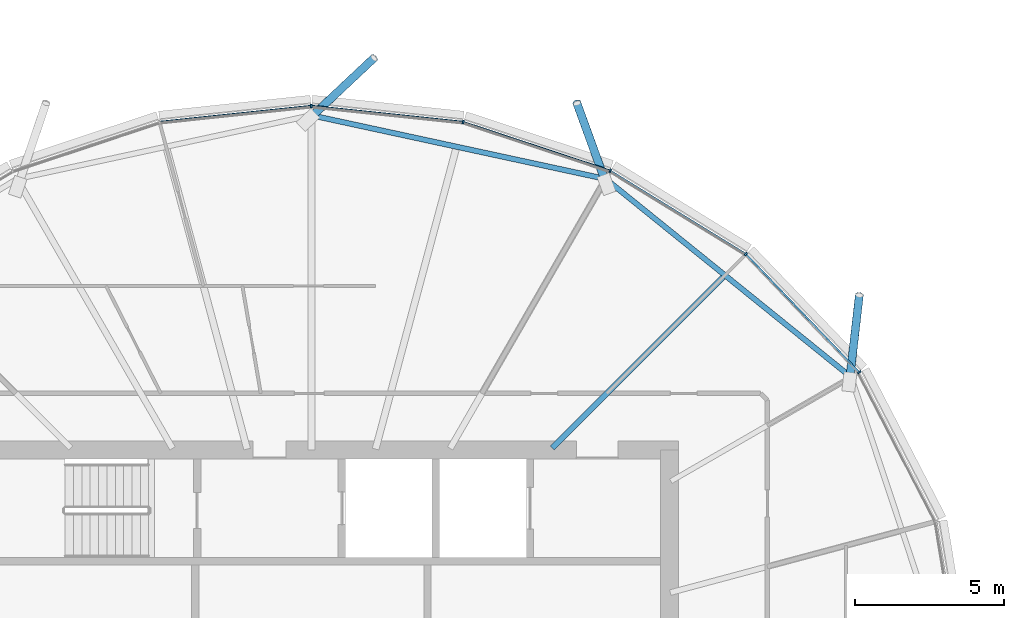
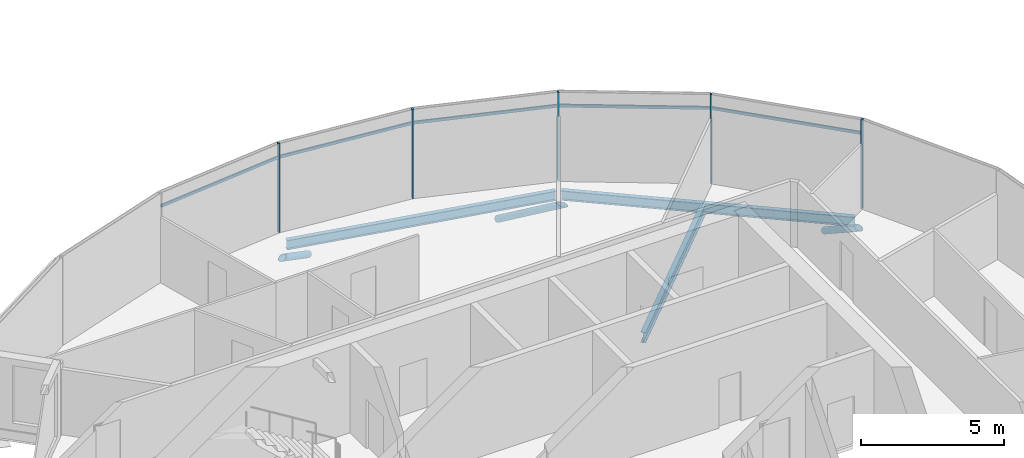
# One storey, part 11 of 36: 13 members, 3 beams, 1 element without a shape of its own.
"""IFC4 building model written with IfcOpenShell, lengths in metres."""

from ifc_helpers import new_model, si_unit, direction, frame, origin, origin_2d, place, context, subcontext, project, spatial, rectangle, hollow_circle, i_section, extrude, clip, halfspace, material, material_profile, profile_set, type_object, element, aggregate, save


model = new_model("IFC4")

# Units and contexts
model_context = context("Model", 3, precision=1e-05, world=origin(), true_north=direction((0.0, 1.0)))
body_context = subcontext(model_context, "Body", "Model", "MODEL_VIEW")
ifc_project = project(units=[si_unit("LENGTHUNIT", "METRE"), si_unit("AREAUNIT", "SQUARE_METRE"), si_unit("VOLUMEUNIT", "CUBIC_METRE"), si_unit("PLANEANGLEUNIT", "RADIAN"), si_unit("MASSUNIT", "GRAM", prefix="KILO")], contexts=[model_context])

# Site, building, storey
site_placement = place(None, origin())
site = spatial("IfcSite", under=ifc_project, at=site_placement, CompositionType="ELEMENT")
building_placement = place(site_placement, origin())
building = spatial("IfcBuilding", under=site, at=building_placement, Name="Rimbun Link Towers", CompositionType="ELEMENT")
storey_placement = place(building_placement, frame((0.0, 0.0, 189.300048828125)))
storey = spatial("IfcBuildingStorey", under=building, at=storey_placement, Name="L46", CompositionType="ELEMENT", Elevation=189.300048828125)

# Curtain wall, members
ifc_material_1 = material(Name="Aluminium 6063-T6 and low-iron glass", Category="aluminium")
curtain_wall_type = type_object("IfcCurtainWallType", Name="CW1-Z3 unitised vision wall (zone 3)", PredefinedType="NOTDEFINED", material=ifc_material_1)
curtain_wall_placement = place(storey_placement, origin())
curtain_wall = element("IfcCurtainWall", 1, at=curtain_wall_placement, inside=storey, type_object=curtain_wall_type, Name="CW1 L46 T1", PredefinedType="NOTDEFINED")
ifc_material_2 = material(Name="Aluminium 6063-T6", Category="aluminium")
ifc_material_profile_1 = material_profile(ifc_material_2, rectangle(XDim=0.1201171875, YDim=0.06005859375, at=origin_2d()), Name="MULLION 60X120")
ifc_profile_set_1 = profile_set([ifc_material_profile_1], Name="Aluminium 6063-T6")
member_type_1 = type_object("IfcMemberType", Name="CW1 mullion 60X120", PredefinedType="MULLION", material=ifc_profile_set_1)
member_1_placement = place(storey_placement, frame((-13.394287109375, 10.6044921875, 0.0), z_axis=(0.0, 0.0, 1.0), x_axis=(0.813347109878, 0.581778719835, 0.0)))
member_1 = element("IfcMember", 2, at=member_1_placement, type_object=member_type_1, Name="CW1 mullion", PredefinedType="MULLION", context=body_context, shape_type="SweptSolid", body=[
    extrude(rectangle(XDim=0.1201171875, YDim=0.06005859375, at=origin_2d()), origin(), (0.0, 0.0, 1.0), 3.800048828125),
])
member_2_placement = place(storey_placement, frame((-17.192626953125, 14.56640625, 0.0), z_axis=(0.0, 0.0, 1.0), x_axis=(0.627666301152, 0.778482507445, 0.0)))
member_2 = element("IfcMember", 3, at=member_2_placement, type_object=member_type_1, Name="CW1 mullion", PredefinedType="MULLION", context=body_context, shape_type="SweptSolid", body=[
    extrude(rectangle(XDim=0.1201171875, YDim=0.06005859375, at=origin_2d()), origin(), (0.0, 0.0, 1.0), 3.800048828125),
])
member_3_placement = place(storey_placement, frame((-21.735595703125, 17.35595703125, 0.0), z_axis=(0.0, 0.0, 1.0), x_axis=(0.421700764408, 0.90673505794, 0.0)))
member_3 = element("IfcMember", 4, at=member_3_placement, type_object=member_type_1, Name="CW1 mullion", PredefinedType="MULLION", context=body_context, shape_type="SweptSolid", body=[
    extrude(rectangle(XDim=0.1201171875, YDim=0.06005859375, at=origin_2d()), origin(), (0.0, 0.0, 1.0), 3.800048828125),
])
member_4_placement = place(storey_placement, frame((-26.664794921875, 18.989501953125, 0.0), z_axis=(0.0, 0.0, 1.0), x_axis=(0.210876961602, 0.977512612228, 0.0)))
member_4 = element("IfcMember", 5, at=member_4_placement, type_object=member_type_1, Name="CW1 mullion", PredefinedType="MULLION", context=body_context, shape_type="SweptSolid", body=[
    extrude(rectangle(XDim=0.1201171875, YDim=0.06005859375, at=origin_2d()), origin(), (0.0, 0.0, 1.0), 3.800048828125),
])
member_5_placement = place(storey_placement, frame((-31.75, 19.525146484375, 0.0), z_axis=(0.0, 0.0, 1.0), x_axis=(0.0, 1.0, 0.0)))
member_5 = element("IfcMember", 6, at=member_5_placement, type_object=member_type_1, Name="CW1 mullion", PredefinedType="MULLION", context=body_context, shape_type="SweptSolid", body=[
    extrude(rectangle(XDim=0.1201171875, YDim=0.06005859375, at=origin_2d()), origin(), (0.0, 0.0, 1.0), 3.800048828125),
])
ifc_material_3 = material(Name="Aluminium 6063-T6", Category="aluminium")
ifc_material_profile_2 = material_profile(ifc_material_3, rectangle(XDim=0.06005859375, YDim=0.1201171875, at=origin_2d()), Name="TRANSOM 60X120")
ifc_profile_set_2 = profile_set([ifc_material_profile_2], Name="Aluminium 6063-T6")
member_type_2 = type_object("IfcMemberType", Name="CW1 transom 60X120", PredefinedType="USERDEFINED", material=ifc_profile_set_2)
member_6_placement = place(storey_placement, frame((-17.16748046875, 14.538330078125, 3.199951171875), z_axis=(0.69204153112, -0.721857686255, 0.0), x_axis=(0.721857686255, 0.69204153112, 0.0)))
member_6 = element("IfcMember", 7, at=member_6_placement, type_object=member_type_2, Name="CW1 transom", ObjectType="TRANSOM", PredefinedType="USERDEFINED", context=body_context, shape_type="SweptSolid", body=[
    extrude(rectangle(XDim=0.06005859375, YDim=0.1201171875, at=origin_2d()), origin(), (0.0, 0.0, 1.0), 5.412353515625),
])
member_7_placement = place(storey_placement, frame((-21.705078125, 17.33544921875, 3.199951171875), z_axis=(0.852190481414, -0.523231672768, 0.0), x_axis=(0.523231672768, 0.852190481414, 0.0)))
member_7 = element("IfcMember", 8, at=member_7_placement, type_object=member_type_2, Name="CW1 transom", ObjectType="TRANSOM", PredefinedType="USERDEFINED", context=body_context, shape_type="SweptSolid", body=[
    extrude(rectangle(XDim=0.06005859375, YDim=0.1201171875, at=origin_2d()), origin(), (0.0, 0.0, 1.0), 5.2568359375),
])
member_8_placement = place(storey_placement, frame((-26.630859375, 18.9765625, 3.199951171875), z_axis=(0.949239776914, -0.31455340711, 0.0), x_axis=(0.31455340711, 0.949239776914, 0.0)))
member_8 = element("IfcMember", 9, at=member_8_placement, type_object=member_type_2, Name="CW1 transom", ObjectType="TRANSOM", PredefinedType="USERDEFINED", context=body_context, shape_type="SweptSolid", body=[
    extrude(rectangle(XDim=0.06005859375, YDim=0.1201171875, at=origin_2d()), origin(), (0.0, 0.0, 1.0), 5.119384765625),
])
member_9_placement = place(storey_placement, frame((-31.714111328125, 19.519775390625, 3.199951171875), z_axis=(0.994497222689, -0.104762942224, 0.0), x_axis=(0.104762942224, 0.994497222689, 0.0)))
member_9 = element("IfcMember", 10, at=member_9_placement, type_object=member_type_2, Name="CW1 transom", ObjectType="TRANSOM", PredefinedType="USERDEFINED", context=body_context, shape_type="SweptSolid", body=[
    extrude(rectangle(XDim=0.06005859375, YDim=0.1201171875, at=origin_2d()), origin(), (0.0, 0.0, 1.0), 5.040771484375),
])
member_10_placement = place(storey_placement, frame((-36.798828125, 18.99169921875, 3.199951171875), z_axis=(0.994497222689, 0.104762942224, 0.0), x_axis=(-0.104762942224, 0.994497222689, 0.0)))
member_10 = element("IfcMember", 11, at=member_10_placement, type_object=member_type_2, Name="CW1 transom", ObjectType="TRANSOM", PredefinedType="USERDEFINED", context=body_context, shape_type="SweptSolid", body=[
    extrude(rectangle(XDim=0.06005859375, YDim=0.1201171875, at=origin_2d()), origin(), (0.0, 0.0, 1.0), 5.040771484375),
])
aggregate(curtain_wall, [member_1, member_2, member_3, member_4, member_5, member_6, member_7, member_8, member_9, member_10])

# Members
ifc_material_4 = material(Name="Steel S355J2H", Category="steel")
ifc_material_profile_3 = material_profile(ifc_material_4, hollow_circle(Radius=0.136474609375, WallThickness=0.012451171875, at=origin_2d()), Name="CHS 273x12.5")
ifc_profile_set_3 = profile_set([ifc_material_profile_3], Name="Steel S355J2H")
member_type_3 = type_object("IfcMemberType", Name="Floor edge link CHS 273x12.5", PredefinedType="BRACE", material=ifc_profile_set_3)
member_11_placement = place(storey_placement, frame((-13.709228515625, 10.416015625, -0.617919921875), z_axis=(0.09416513206, 0.820993246191, -0.563119008392), x_axis=(-0.993486540182, 0.113949526005, 0.0)))
element("IfcMember", 12, at=member_11_placement, inside=storey, type_object=member_type_3, Name="Floor edge link T1 L46 02", PredefinedType="BRACE", context=body_context, shape_type="Clipping", body=[
    clip(extrude(hollow_circle(Radius=0.136474609375, WallThickness=0.012451171875, at=origin_2d()), frame((0.0, 0.0, -0.41845703125)), (0.0, 0.0, 1.0), 3.8095703125), halfspace(frame((0.0, 0.0, -0.19677734375), z_axis=(0.0, 0.826375811836, -0.563119008392)), False)),
])
member_12_placement = place(storey_placement, frame((-21.91357421875, 17.037109375, -0.797119140625), z_axis=(-0.284856749415, 0.784418959211, -0.550947845756), x_axis=(-0.939942080074, -0.341333980298, 0.0)))
element("IfcMember", 13, at=member_12_placement, inside=storey, type_object=member_type_3, Name="Floor edge link T1 L46 04", PredefinedType="BRACE", context=body_context, shape_type="Clipping", body=[
    clip(extrude(hollow_circle(Radius=0.136474609375, WallThickness=0.012451171875, at=origin_2d()), frame((0.0, 0.0, -0.431640625)), (0.0, 0.0, 1.0), 3.76220703125), halfspace(frame((0.0, 0.0, -0.203125), z_axis=(0.0, 0.834539676263, -0.550947845756)), False)),
])
member_13_placement = place(storey_placement, frame((-31.75, 19.163818359375, -0.86865234375), z_axis=(0.619186961952, 0.581182435046, -0.528047804032), x_axis=(-0.684376367162, 0.729128924176, 0.0)))
element("IfcMember", 14, at=member_13_placement, inside=storey, type_object=member_type_3, Name="Floor edge link T1 L46 06", PredefinedType="BRACE", context=body_context, shape_type="Clipping", body=[
    clip(extrude(hollow_circle(Radius=0.136474609375, WallThickness=0.012451171875, at=origin_2d()), frame((0.0, 0.0, -0.4580078125)), (0.0, 0.0, 1.0), 3.86279296875), halfspace(frame((0.0, 0.0, -0.2158203125), z_axis=(0.0, 0.849214646987, -0.528047804032)), False)),
])

# Beams
ifc_material_5 = material(Name="Steel S355J2", Category="steel")
ifc_material_profile_4 = material_profile(ifc_material_5, i_section(OverallWidth=0.177978515625, OverallDepth=0.406494140625, WebThickness=0.0078125, FlangeThickness=0.0126953125, at=origin_2d()), Name="UB 406x178x60")
ifc_profile_set_4 = profile_set([ifc_material_profile_4], Name="Steel S355J2")
beam_type_1 = type_object("IfcBeamType", Name="UB 406x178x60", PredefinedType="BEAM", material=ifc_profile_set_4)
beam_1_placement = place(storey_placement, frame((-13.73828125, 10.499267578125, -0.353271484375), z_axis=(-0.778016870357, 0.62824338392, 0.0), x_axis=(-0.62824338392, -0.778016870357, 0.0)))
element("IfcBeam", 15, at=beam_1_placement, inside=storey, type_object=beam_type_1, Name="Edge beam T1 L46 02-04", PredefinedType="BEAM", context=body_context, shape_type="SweptSolid", body=[
    extrude(i_section(OverallWidth=0.177978515625, OverallDepth=0.406494140625, WebThickness=0.0078125, FlangeThickness=0.0126953125, at=origin_2d()), origin(), (0.0, 0.0, 1.0), 10.368896484375),
])
beam_2_placement = place(storey_placement, frame((-21.9970703125, 17.10400390625, -0.353271484375), z_axis=(-0.977392598687, 0.211432514129, 0.0), x_axis=(-0.211432514129, -0.977392598687, 0.0)))
element("IfcBeam", 16, at=beam_2_placement, inside=storey, type_object=beam_type_1, Name="Edge beam T1 L46 04-06", PredefinedType="BEAM", context=body_context, shape_type="SweptSolid", body=[
    extrude(i_section(OverallWidth=0.177978515625, OverallDepth=0.406494140625, WebThickness=0.0078125, FlangeThickness=0.0126953125, at=origin_2d()), origin(), (0.0, 0.0, 1.0), 9.861083984375),
])
ifc_material_6 = material(Name="Steel S355J2", Category="steel")
ifc_material_profile_5 = material_profile(ifc_material_6, i_section(OverallWidth=0.18994140625, OverallDepth=0.453369140625, WebThickness=0.008544921875, FlangeThickness=0.0126953125, at=origin_2d()), Name="UB 457x191x67")
ifc_profile_set_5 = profile_set([ifc_material_profile_5], Name="Steel S355J2")
beam_type_2 = type_object("IfcBeamType", Name="UB 457x191x67", PredefinedType="BEAM", material=ifc_profile_set_5)
beam_3_placement = place(storey_placement, frame((-23.68212890625, 8.06787109375, -0.376708984375), z_axis=(0.707106781187, 0.707106781187, 0.0), x_axis=(-0.707106781187, 0.707106781187, 0.0)))
element("IfcBeam", 17, at=beam_3_placement, inside=storey, type_object=beam_type_2, Name="Radial beam T1 L46 03", PredefinedType="BEAM", context=body_context, shape_type="SweptSolid", body=[
    extrude(i_section(OverallWidth=0.18994140625, OverallDepth=0.453369140625, WebThickness=0.008544921875, FlangeThickness=0.0126953125, at=origin_2d()), origin(), (0.0, 0.0, 1.0), 8.094482421875),
])

save(model, "model.ifc")
